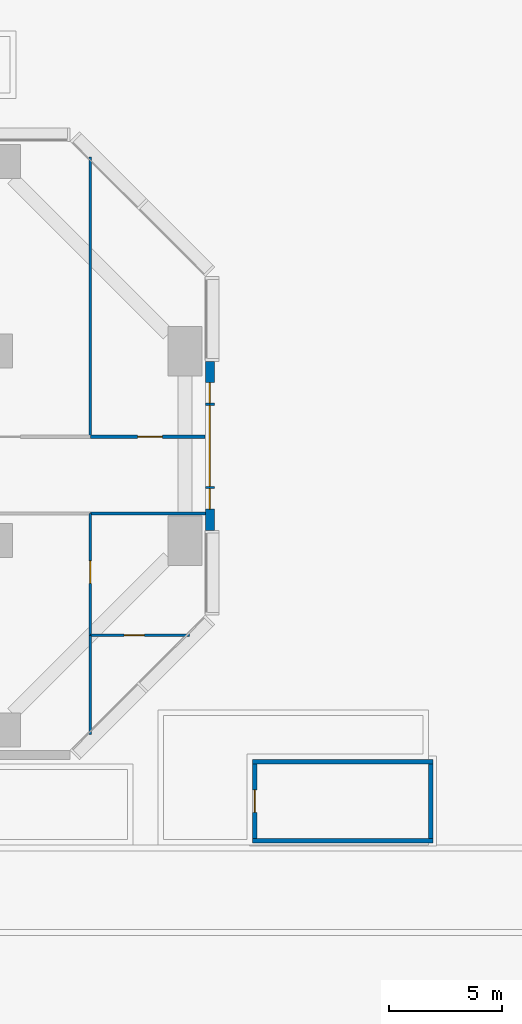
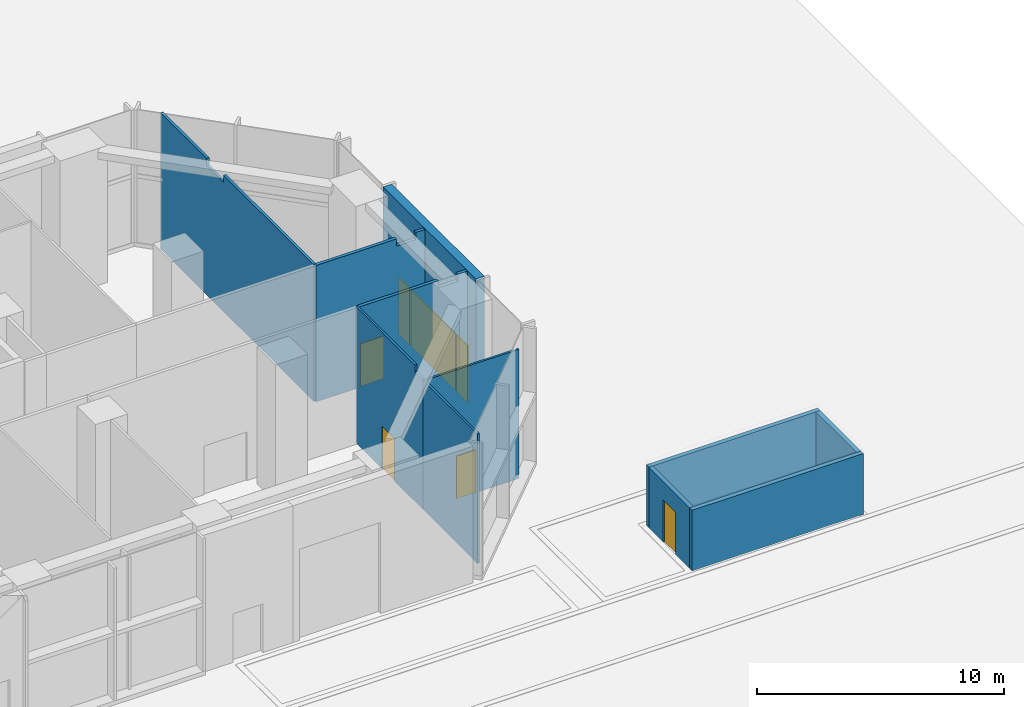
# One storey, part 12 of 21: 11 walls, 5 doors, 2 windows, 7 openings.
"""IFC4 building model written with IfcOpenShell, lengths in metres."""

from ifc_helpers import new_model, si_unit, direction, frame, frame_2d, origin, place, context, subcontext, project, spatial, polyline, rectangle, outline, extrude, material, layer, layer_set, type_object, element, fill, save


model = new_model("IFC4")

# Units and contexts
model_context = context("Model", 3, precision=1e-05, world=origin(), true_north=direction((0.0, 1.0)))
body_context = subcontext(model_context, "Body", "Model", "MODEL_VIEW")
ifc_project = project(units=[si_unit("LENGTHUNIT", "METRE"), si_unit("AREAUNIT", "SQUARE_METRE"), si_unit("VOLUMEUNIT", "CUBIC_METRE"), si_unit("PLANEANGLEUNIT", "RADIAN"), si_unit("MASSUNIT", "GRAM", prefix="KILO")], contexts=[model_context])

# Site, building, storey
site_placement = place(None, origin())
site = spatial("IfcSite", under=ifc_project, at=site_placement, CompositionType="ELEMENT")
building_placement = place(site_placement, origin())
building = spatial("IfcBuilding", under=site, at=building_placement, Name="Brevane Broadcast Tower", CompositionType="ELEMENT")
storey_placement = place(building_placement, origin())
storey = spatial("IfcBuildingStorey", under=building, at=storey_placement, Name="L00", CompositionType="ELEMENT", Elevation=0.0)

# Wall, openings, windows, door
ifc_material_1 = material(Name="Concrete C40/50", Category="concrete")
ifc_layer_1 = layer(ifc_material_1, 0.39990234375)
ifc_layer_set_1 = layer_set([ifc_layer_1], Name="Entrance portal wall 400")
wall_type_1 = type_object("IfcWallType", Name="Entrance portal wall 400", PredefinedType="SOLIDWALL", material=ifc_layer_set_1)
wall_1_placement = place(storey_placement, frame((68.300048828125, 16.35009765625, 0.0), z_axis=(0.0, 0.0, 1.0), x_axis=(0.0, -1.0, 0.0)))
wall_1 = element("IfcWall", 1, at=wall_1_placement, inside=storey, type_object=wall_type_1, Name="Portal wall plaza entrance", PredefinedType="SOLIDWALL", context=body_context, shape_type="SweptSolid", body=[
    extrude(rectangle(XDim=7.5, YDim=0.39990234375, at=frame_2d((3.75, 0.0))), origin(), (0.0, 0.0, 1.0), 6.75),
])
opening_1_placement = place(wall_1_placement, frame((1.949951171875, 0.0, 0.0)))
opening_1 = element("IfcOpeningElement", 2, at=opening_1_placement, cuts=wall_1, Name="Opening EX05", PredefinedType="OPENING", context=body_context, shape_type="SweptSolid", body=[
    extrude(rectangle(XDim=3.60009765625, YDim=2.800048828125, at=frame_2d((1.800048828125, 1.39990234375))), frame((0.0, 0.2099609375, 0.0), z_axis=(0.0, -1.0, 0.0), x_axis=(1.0, 0.0, 0.0)), (0.0, 0.0, 1.0), 0.419921875),
])
opening_2_placement = place(wall_1_placement, frame((0.949951171875, 0.0, 0.0)))
opening_2 = element("IfcOpeningElement", 3, at=opening_2_placement, cuts=wall_1, Name="Opening FW01", PredefinedType="OPENING", context=body_context, shape_type="SweptSolid", body=[
    extrude(rectangle(XDim=0.89990234375, YDim=2.800048828125, at=frame_2d((0.449951171875, 1.39990234375))), frame((0.0, 0.2099609375, 0.0), z_axis=(0.0, -1.0, 0.0), x_axis=(1.0, 0.0, 0.0)), (0.0, 0.0, 1.0), 0.419921875),
])
opening_3_placement = place(wall_1_placement, frame((5.64990234375, 0.0, 0.0)))
opening_3 = element("IfcOpeningElement", 4, at=opening_3_placement, cuts=wall_1, Name="Opening FW02", PredefinedType="OPENING", context=body_context, shape_type="SweptSolid", body=[
    extrude(rectangle(XDim=0.89990234375, YDim=2.800048828125, at=frame_2d((0.449951171875, 1.39990234375))), frame((0.0, 0.2099609375, 0.0), z_axis=(0.0, -1.0, 0.0), x_axis=(1.0, 0.0, 0.0)), (0.0, 0.0, 1.0), 0.419921875),
])
ifc_material_2 = material(Name="Laminated glass bronze-tinted", Category="glass")
window_type = type_object("IfcWindowType", Name="Fixed sidelight 900x2800", PartitioningType="SINGLE_PANEL", PredefinedType="WINDOW", material=ifc_material_2)
window_1_placement = place(opening_2_placement, origin())
window_1 = element("IfcWindow", 5, at=window_1_placement, inside=storey, type_object=window_type, Name="Fixed sidelight", OverallHeight=2.800048828125, OverallWidth=0.89990234375, PartitioningType="SINGLE_PANEL", PredefinedType="WINDOW", context=body_context, shape_type="SweptSolid", body=[
    extrude(rectangle(XDim=0.89990234375, YDim=2.800048828125, at=frame_2d((0.449951171875, 1.39990234375))), frame((0.0, 0.030029296875, 0.0), z_axis=(0.0, -1.0, 0.0), x_axis=(1.0, 0.0, 0.0)), (0.0, 0.0, 1.0), 0.06005859375),
])
fill(opening_2, window_1)
window_2_placement = place(opening_3_placement, origin())
window_2 = element("IfcWindow", 6, at=window_2_placement, inside=storey, type_object=window_type, Name="Fixed sidelight", OverallHeight=2.800048828125, OverallWidth=0.89990234375, PartitioningType="SINGLE_PANEL", PredefinedType="WINDOW", context=body_context, shape_type="SweptSolid", body=[
    extrude(rectangle(XDim=0.89990234375, YDim=2.800048828125, at=frame_2d((0.449951171875, 1.39990234375))), frame((0.0, 0.030029296875, 0.0), z_axis=(0.0, -1.0, 0.0), x_axis=(1.0, 0.0, 0.0)), (0.0, 0.0, 1.0), 0.06005859375),
])
fill(opening_3, window_2)
ifc_material_3 = material(Name="Aluminium bronze anodised and laminated glass", Category="aluminium")
door_type_1 = type_object("IfcDoorType", Name="Plaza entrance door 3600x2800", OperationType="DOUBLE_DOOR_DOUBLE_SWING", PredefinedType="DOOR", material=ifc_material_3)
door_1_placement = place(opening_1_placement, origin())
door_1 = element("IfcDoor", 7, at=door_1_placement, inside=storey, type_object=door_type_1, Name="Plaza entrance", OperationType="DOUBLE_DOOR_DOUBLE_SWING", OverallHeight=2.800048828125, OverallWidth=3.60009765625, PredefinedType="DOOR", context=body_context, shape_type="SweptSolid", body=[
    extrude(rectangle(XDim=3.60009765625, YDim=2.800048828125, at=frame_2d((1.800048828125, 1.39990234375))), frame((0.0, 0.02490234375, 0.0), z_axis=(0.0, -1.0, 0.0), x_axis=(1.0, 0.0, 0.0)), (0.0, 0.0, 1.0), 0.050048828125),
])
fill(opening_1, door_1)

# Wall, opening, door
ifc_material_4 = material(Name="Gypsum board partition")
ifc_layer_2 = layer(ifc_material_4, 0.10009765625)
ifc_layer_set_2 = layer_set([ifc_layer_2], Name="PARTITION 100 STUD")
wall_type_2 = type_object("IfcWallType", Name="PARTITION 100 STUD", PredefinedType="PARTITIONING", material=ifc_layer_set_2)
wall_2_placement = place(storey_placement, frame((63.0, 9.60009765625, 0.0), z_axis=(0.0, 0.0, 1.0), x_axis=(0.0, -1.0, 0.0)))
wall_2 = element("IfcWall", 8, at=wall_2_placement, inside=storey, type_object=wall_type_2, Name="Partition P0-009", PredefinedType="PARTITIONING", context=body_context, shape_type="SweptSolid", body=[
    extrude(outline(polyline([(0.0, 0.0), (5.400146484375, 0.0), (5.39990234375, 6.3798828125), (4.736328125, 6.3798828125), (4.734375, 6.72998046875), (0.0, 6.72998046875), (0.0, 0.0)])), frame((0.0, 0.050048828125, 0.0), z_axis=(0.0, -1.0, 0.0), x_axis=(1.0, 0.0, 0.0)), (0.0, 0.0, 1.0), 0.10009765625),
])
opening_4_placement = place(wall_2_placement, frame((2.10009765625, 0.0, 0.0)))
opening_4 = element("IfcOpeningElement", 9, at=opening_4_placement, cuts=wall_2, Name="Opening D01-003", PredefinedType="OPENING", context=body_context, shape_type="SweptSolid", body=[
    extrude(rectangle(XDim=1.0, YDim=2.10009765625, at=frame_2d((0.5, 1.050048828125))), frame((0.0, 0.06005859375, 0.0), z_axis=(0.0, -1.0, 0.0), x_axis=(1.0, 0.0, 0.0)), (0.0, 0.0, 1.0), 0.1201171875),
])
ifc_material_5 = material(Name="Timber door leaf", Category="wood")
door_type_2 = type_object("IfcDoorType", Name="DOOR SINGLE 1000 INTERNAL", OperationType="SINGLE_SWING_LEFT", PredefinedType="DOOR", material=ifc_material_5)
door_2_placement = place(opening_4_placement, origin())
door_2 = element("IfcDoor", 10, at=door_2_placement, inside=storey, type_object=door_type_2, Name="Door D01-003", OperationType="SINGLE_SWING_LEFT", OverallHeight=2.10009765625, OverallWidth=1.0, PredefinedType="DOOR", context=body_context, shape_type="SweptSolid", body=[
    extrude(rectangle(XDim=1.0, YDim=2.10009765625, at=frame_2d((0.5, 1.050048828125))), frame((0.0, 0.02490234375, 0.0), z_axis=(0.0, -1.0, 0.0), x_axis=(1.0, 0.0, 0.0)), (0.0, 0.0, 1.0), 0.050048828125),
])
fill(opening_4, door_2)

# Wall
wall_3_placement = place(storey_placement, frame((63.0, 4.199951171875, 0.0), z_axis=(0.0, 0.0, 1.0), x_axis=(0.0, -1.0, 0.0)))
element("IfcWall", 11, at=wall_3_placement, inside=storey, type_object=wall_type_2, Name="Partition P0-013", PredefinedType="PARTITIONING", context=body_context, shape_type="SweptSolid", body=[
    extrude(rectangle(XDim=4.39990234375, YDim=0.10009765625, at=frame_2d((2.199951171875, 0.0))), origin(), (0.0, 0.0, 1.0), 6.3798828125),
])

# Wall, opening, door
wall_4_placement = place(storey_placement, frame((67.39990234375, 4.199951171875, 0.0), z_axis=(0.0, 0.0, 1.0), x_axis=(-1.0, 0.0, 0.0)))
wall_4 = element("IfcWall", 12, at=wall_4_placement, inside=storey, type_object=wall_type_2, Name="Partition P0-015", PredefinedType="PARTITIONING", context=body_context, shape_type="SweptSolid", body=[
    extrude(rectangle(XDim=4.39990234375, YDim=0.10009765625, at=frame_2d((2.199951171875, 0.0))), origin(), (0.0, 0.0, 1.0), 6.3798828125),
])
opening_5_placement = place(wall_4_placement, frame((2.0, 0.0, 0.0)))
opening_5 = element("IfcOpeningElement", 13, at=opening_5_placement, cuts=wall_4, Name="Opening D01-007", PredefinedType="OPENING", context=body_context, shape_type="SweptSolid", body=[
    extrude(rectangle(XDim=0.89990234375, YDim=2.10009765625, at=frame_2d((0.449951171875, 1.050048828125))), frame((0.0, 0.06005859375, 0.0), z_axis=(0.0, -1.0, 0.0), x_axis=(1.0, 0.0, 0.0)), (0.0, 0.0, 1.0), 0.1201171875),
])
door_type_3 = type_object("IfcDoorType", Name="DOOR SINGLE 900 INTERNAL", OperationType="SINGLE_SWING_LEFT", PredefinedType="DOOR", material=ifc_material_5)
door_3_placement = place(opening_5_placement, origin())
door_3 = element("IfcDoor", 14, at=door_3_placement, inside=storey, type_object=door_type_3, Name="Door D01-007", OperationType="SINGLE_SWING_LEFT", OverallHeight=2.10009765625, OverallWidth=0.89990234375, PredefinedType="DOOR", context=body_context, shape_type="SweptSolid", body=[
    extrude(rectangle(XDim=0.89990234375, YDim=2.10009765625, at=frame_2d((0.449951171875, 1.050048828125))), frame((0.0, 0.02490234375, 0.0), z_axis=(0.0, -1.0, 0.0), x_axis=(1.0, 0.0, 0.0)), (0.0, 0.0, 1.0), 0.050048828125),
])
fill(opening_5, door_3)

# Walls
ifc_layer_3 = layer(ifc_material_4, 0.125)
ifc_layer_set_3 = layer_set([ifc_layer_3], Name="PARTITION 125 ACOUSTIC")
wall_type_3 = type_object("IfcWallType", Name="PARTITION 125 ACOUSTIC", PredefinedType="PARTITIONING", material=ifc_layer_set_3)
wall_5_placement = place(storey_placement, frame((63.0, 25.39990234375, 0.0), z_axis=(0.0, 0.0, 1.0), x_axis=(0.0, -1.0, 0.0)))
element("IfcWall", 15, at=wall_5_placement, inside=storey, type_object=wall_type_3, Name="Partition P0-036", PredefinedType="PARTITIONING", context=body_context, shape_type="SweptSolid", body=[
    extrude(outline(polyline([(0.0, 0.0), (12.39990234375, 0.0), (12.39990234375, 6.72998046875), (5.078125, 6.72998046875), (5.076171875, 6.3798828125), (3.723876953125, 6.3798828125), (3.721923828125, 6.72998046875), (0.0, 6.72998046875), (0.0, 0.0)])), frame((0.0, 0.0625, 0.0), z_axis=(0.0, -1.0, 0.0), x_axis=(1.0, 0.0, 0.0)), (0.0, 0.0, 1.0), 0.125),
])
ifc_layer_4 = layer(ifc_material_4, 0.14990234375)
ifc_layer_set_4 = layer_set([ifc_layer_4], Name="PARTITION 150 EI 60")
wall_type_4 = type_object("IfcWallType", Name="PARTITION 150 EI 60", PredefinedType="PARTITIONING", material=ifc_layer_set_4)
wall_6_placement = place(storey_placement, frame((63.0, 9.60009765625, 0.0), z_axis=(0.0, 0.0, 1.0), x_axis=(1.0, 0.0, 0.0)))
element("IfcWall", 16, at=wall_6_placement, inside=storey, type_object=wall_type_4, Name="Partition P0-014", PredefinedType="PARTITIONING", context=body_context, shape_type="SweptSolid", body=[
    extrude(outline(polyline([(0.0, 0.0), (5.10009765625, 0.0), (5.10009765625, 6.72998046875), (4.64990234375, 6.72998046875), (4.64794921875, 6.3798828125), (3.751953125, 6.3798828125), (3.75, 6.72998046875), (0.0, 6.72998046875), (0.0, 0.0)])), frame((0.0, 0.074951171875, 0.0), z_axis=(0.0, -1.0, 0.0), x_axis=(1.0, 0.0, 0.0)), (0.0, 0.0, 1.0), 0.14990234375),
])

# Wall, opening, door
wall_7_placement = place(storey_placement, frame((63.0, 13.0, 0.0), z_axis=(0.0, 0.0, 1.0), x_axis=(1.0, 0.0, 0.0)))
wall_7 = element("IfcWall", 17, at=wall_7_placement, inside=storey, type_object=wall_type_4, Name="Partition P0-023", PredefinedType="PARTITIONING", context=body_context, shape_type="SweptSolid", body=[
    extrude(outline(polyline([(0.0, 0.0), (5.080078125, 0.0), (5.080078125, 6.72998046875), (4.64990234375, 6.72998046875), (4.64794921875, 6.3798828125), (3.751953125, 6.3798828125), (3.75, 6.72998046875), (0.0, 6.72998046875), (0.0, 0.0)])), frame((0.0, 0.074951171875, 0.0), z_axis=(0.0, -1.0, 0.0), x_axis=(1.0, 0.0, 0.0)), (0.0, 0.0, 1.0), 0.14990234375),
])
opening_6_placement = place(wall_7_placement, frame((2.10009765625, 0.0, 0.0)))
opening_6 = element("IfcOpeningElement", 18, at=opening_6_placement, cuts=wall_7, Name="Opening D01-015", PredefinedType="OPENING", context=body_context, shape_type="SweptSolid", body=[
    extrude(rectangle(XDim=1.10009765625, YDim=2.10009765625, at=frame_2d((0.550048828125, 1.050048828125))), frame((0.0, 0.0849609375, 0.0), z_axis=(0.0, -1.0, 0.0), x_axis=(1.0, 0.0, 0.0)), (0.0, 0.0, 1.0), 0.169921875),
])
ifc_material_6 = material(Name="Fire-rated timber door leaf", Category="wood")
door_type_4 = type_object("IfcDoorType", Name="DOOR SINGLE 1100 FD30S", OperationType="SINGLE_SWING_LEFT", PredefinedType="DOOR", material=ifc_material_6)
door_4_placement = place(opening_6_placement, origin())
door_4 = element("IfcDoor", 19, at=door_4_placement, inside=storey, type_object=door_type_4, Name="Door D01-015", OperationType="SINGLE_SWING_LEFT", OverallHeight=2.10009765625, OverallWidth=1.10009765625, PredefinedType="DOOR", context=body_context, shape_type="SweptSolid", body=[
    extrude(rectangle(XDim=1.10009765625, YDim=2.10009765625, at=frame_2d((0.550048828125, 1.050048828125))), frame((0.0, 0.02490234375, 0.0), z_axis=(0.0, -1.0, 0.0), x_axis=(1.0, 0.0, 0.0)), (0.0, 0.0, 1.0), 0.050048828125),
])
fill(opening_6, door_4)

# Walls
ifc_material_7 = material(Name="Concrete C30/37", Category="concrete")
ifc_layer_5 = layer(ifc_material_7, 0.199951171875)
ifc_layer_set_5 = layer_set([ifc_layer_5], Name="Refuse enclosure wall 200")
wall_type_5 = type_object("IfcWallType", Name="Refuse enclosure wall 200", PredefinedType="SOLIDWALL", material=ifc_layer_set_5)
for number, where, z_axis, x_axis, name in (
    (20, (70.199951171875, -1.39990234375, 0.0), (0.0, 0.0, 1.0), (1.0, 0.0, 0.0), "Refuse store wall"),
    (21, (70.199951171875, -4.89990234375, 0.0), (0.0, 0.0, 1.0), (1.0, 0.0, 0.0), "Refuse store wall"),
):
    element("IfcWall", number, at=place(storey_placement, frame(where, z_axis=z_axis, x_axis=x_axis)), inside=storey, type_object=wall_type_5, Name=name, PredefinedType="SOLIDWALL", context=body_context, shape_type="SweptSolid", body=[
        extrude(rectangle(XDim=8.0, YDim=0.199951171875, at=frame_2d((4.0, 0.0))), origin(), (0.0, 0.0, 1.0), 3.0),
    ])
wall_8_placement = place(storey_placement, frame((78.10009765625, -4.800048828125, 0.0), z_axis=(0.0, 0.0, 1.0), x_axis=(0.0, 1.0, 0.0)))
element("IfcWall", 22, at=wall_8_placement, inside=storey, type_object=wall_type_5, Name="Refuse store wall", PredefinedType="SOLIDWALL", context=body_context, shape_type="SweptSolid", body=[
    extrude(rectangle(XDim=3.300048828125, YDim=0.199951171875, at=frame_2d((1.64990234375, 0.0))), origin(), (0.0, 0.0, 1.0), 3.0),
])

# Wall, opening, door
wall_9_placement = place(storey_placement, frame((70.300048828125, -1.5, 0.0), z_axis=(0.0, 0.0, 1.0), x_axis=(0.0, -1.0, 0.0)))
wall_9 = element("IfcWall", 23, at=wall_9_placement, inside=storey, type_object=wall_type_5, Name="Refuse store wall", PredefinedType="SOLIDWALL", context=body_context, shape_type="SweptSolid", body=[
    extrude(rectangle(XDim=3.300048828125, YDim=0.199951171875, at=frame_2d((1.64990234375, 0.0))), origin(), (0.0, 0.0, 1.0), 3.0),
])
opening_7_placement = place(wall_9_placement, frame((1.14990234375, 0.0, 0.0)))
opening_7 = element("IfcOpeningElement", 24, at=opening_7_placement, cuts=wall_9, Name="Opening CR01", PredefinedType="OPENING", context=body_context, shape_type="SweptSolid", body=[
    extrude(rectangle(XDim=1.0, YDim=2.10009765625, at=frame_2d((0.5, 1.050048828125))), frame((0.0, 0.10986328125, 0.0), z_axis=(0.0, -1.0, 0.0), x_axis=(1.0, 0.0, 0.0)), (0.0, 0.0, 1.0), 0.219970703125),
])
ifc_material_8 = material(Name="Steel", Category="steel")
door_type_5 = type_object("IfcDoorType", Name="Refuse store service door 1000 x 2100", OperationType="SINGLE_SWING_LEFT", PredefinedType="DOOR", material=ifc_material_8)
door_5_placement = place(opening_7_placement, origin())
door_5 = element("IfcDoor", 25, at=door_5_placement, inside=storey, type_object=door_type_5, Name="Refuse store service door", OperationType="SINGLE_SWING_LEFT", OverallHeight=2.10009765625, OverallWidth=1.0, PredefinedType="DOOR", context=body_context, shape_type="SweptSolid", body=[
    extrude(rectangle(XDim=1.0, YDim=2.10009765625, at=frame_2d((0.5, 1.050048828125))), frame((0.0, 0.02490234375, 0.0), z_axis=(0.0, -1.0, 0.0), x_axis=(1.0, 0.0, 0.0)), (0.0, 0.0, 1.0), 0.050048828125),
])
fill(opening_7, door_5)

save(model, "model.ifc")
